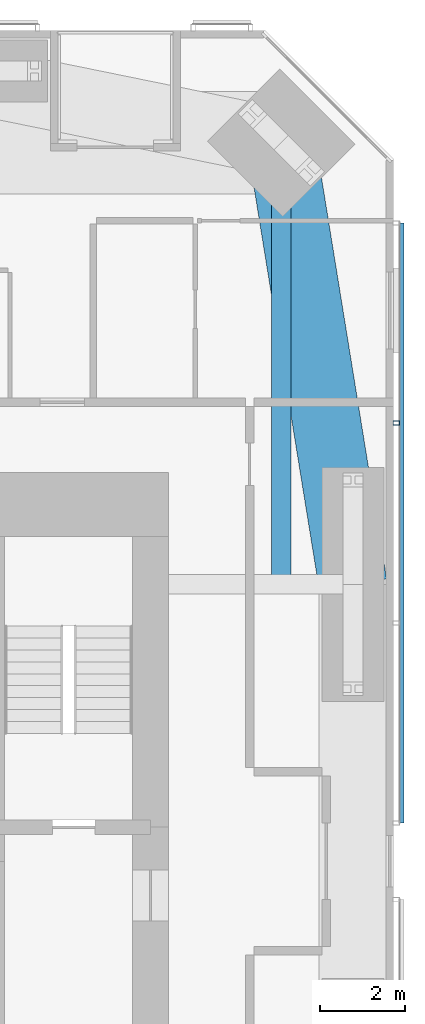
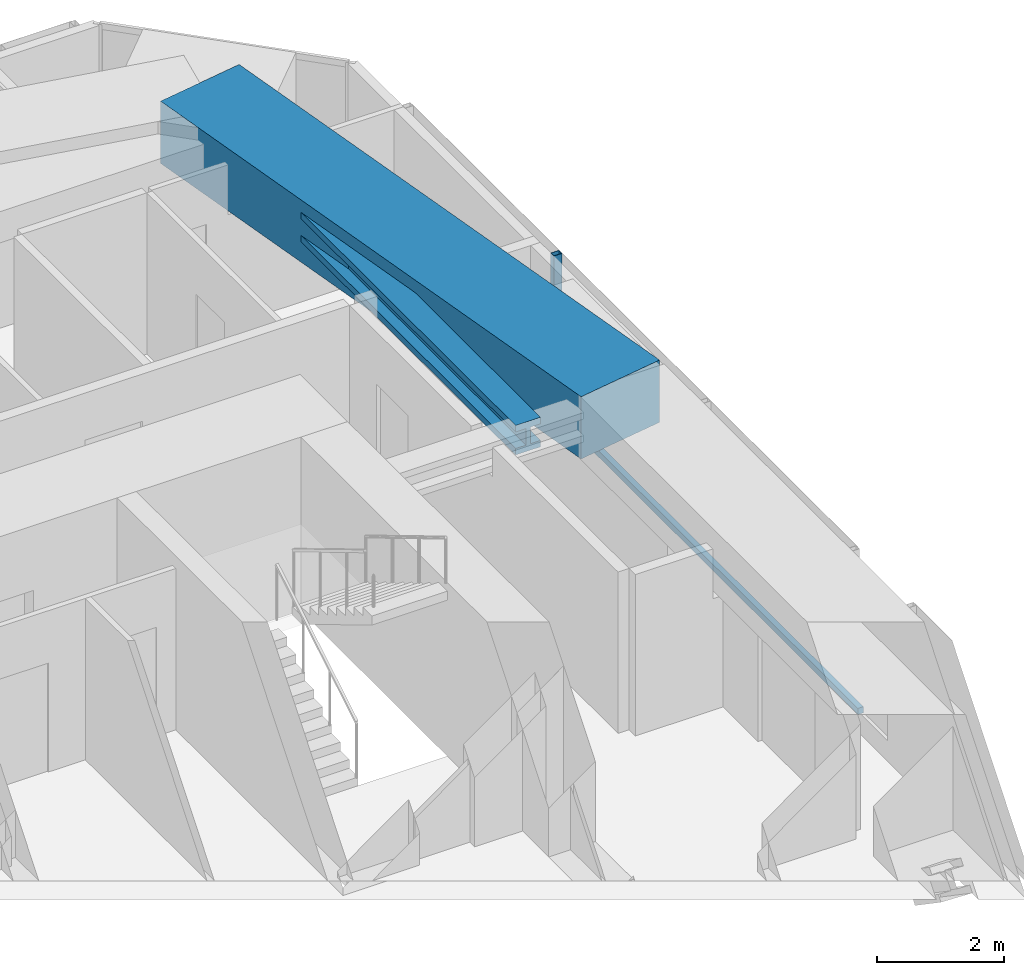
# One storey, part 10 of 23: 2 beams, 2 members, 1 element without a shape of its own.
"""IFC4 building model written with IfcOpenShell, lengths in metres."""

from ifc_helpers import new_model, si_unit, direction, frame, origin, origin_2d, place, context, subcontext, project, spatial, rectangle, hollow_rectangle, i_section, extrude, material, material_profile, profile_set, type_object, element, aggregate, save


model = new_model("IFC4")

# Units and contexts
model_context = context("Model", 3, precision=1e-05, world=origin(), true_north=direction((0.0, 1.0)))
body_context = subcontext(model_context, "Body", "Model", "MODEL_VIEW")
ifc_project = project(units=[si_unit("LENGTHUNIT", "METRE"), si_unit("AREAUNIT", "SQUARE_METRE"), si_unit("VOLUMEUNIT", "CUBIC_METRE"), si_unit("PLANEANGLEUNIT", "RADIAN"), si_unit("MASSUNIT", "GRAM", prefix="KILO")], contexts=[model_context])

# Site, building, storey
site_placement = place(None, origin())
site = spatial("IfcSite", under=ifc_project, at=site_placement, CompositionType="ELEMENT")
building_placement = place(site_placement, origin())
building = spatial("IfcBuilding", under=site, at=building_placement, Name="Jalousie Tower", CompositionType="ELEMENT")
storey_placement = place(building_placement, frame((0.0, 0.0, 121.60009765625)))
storey = spatial("IfcBuildingStorey", under=building, at=storey_placement, Name="L33", CompositionType="ELEMENT", Elevation=121.60009765625)

# Beams
ifc_material_1 = material(Name="Steel ASTM A992 Grade 50", Category="steel")
ifc_material_profile_1 = material_profile(ifc_material_1, i_section(OverallWidth=0.45458984375, OverallDepth=0.569091796875, WebThickness=0.077880859375, FlangeThickness=0.124755859375, at=origin_2d()), Name="W14X730")
ifc_profile_set_1 = profile_set([ifc_material_profile_1], Name="Steel ASTM A992 Grade 50")
beam_type_1 = type_object("IfcBeamType", Name="LEAN COLLECTOR W14X730", PredefinedType="BEAM", material=ifc_profile_set_1)
beam_1_placement = place(storey_placement, frame((46.86865234375, 35.36865234375, 2.825439453125), z_axis=(0.0, -1.0, 0.0), x_axis=(1.0, 0.0, 0.0)))
element("IfcBeam", 1, at=beam_1_placement, inside=storey, type_object=beam_type_1, Name="Lean collector under L34", PredefinedType="BEAM", context=body_context, shape_type="SweptSolid", body=[
    extrude(i_section(OverallWidth=0.45458984375, OverallDepth=0.569091796875, WebThickness=0.077880859375, FlangeThickness=0.124755859375, at=origin_2d()), origin(), (0.0, 0.0, 1.0), 10.36865234375),
])
ifc_material_2 = material(Name="Concrete f'c 40 MPa", Category="concrete")
ifc_material_profile_2 = material_profile(ifc_material_2, rectangle(XDim=1.60009765625, YDim=1.199951171875, at=origin_2d()), Name="RC 1600x1200")
ifc_profile_set_2 = profile_set([ifc_material_profile_2], Name="Concrete f'c 40 MPa")
beam_type_2 = type_object("IfcBeamType", Name="RC BEAM 1600x1200", PredefinedType="BEAM", material=ifc_profile_set_2)
beam_2_placement = place(storey_placement, frame((48.550048828125, 25.0, 2.75), z_axis=(-0.160070546476, 0.987105577003, 0.0), x_axis=(-0.987105577003, -0.160070546476, 0.0)))
element("IfcBeam", 2, at=beam_2_placement, inside=storey, type_object=beam_type_2, Name="Edge band beam 07-08 under L34", PredefinedType="BEAM", context=body_context, shape_type="SweptSolid", body=[
    extrude(rectangle(XDim=1.60009765625, YDim=1.199951171875, at=origin_2d()), origin(), (0.0, 0.0, 1.0), 10.504150390625),
])

# Curtain wall, members
ifc_material_3 = material(Name="Perforated aluminium sheet", Category="aluminium")
curtain_wall_type = type_object("IfcCurtainWallType", Name="SOLAR SCREEN SS-1", PredefinedType="USERDEFINED", material=ifc_material_3)
curtain_wall_placement = place(storey_placement, origin())
curtain_wall = element("IfcCurtainWall", 3, at=curtain_wall_placement, inside=storey, type_object=curtain_wall_type, Name="Solar screen L33", ObjectType="SOLAR SCREEN SS-1", PredefinedType="USERDEFINED")
ifc_material_4 = material(Name="Steel ASTM A500 Grade C", Category="steel")
ifc_material_profile_3 = material_profile(ifc_material_4, hollow_rectangle(XDim=0.1015625, YDim=0.15234375, WallThickness=0.00634765625, at=origin_2d()), Name="HSS6X4X1/4")
ifc_profile_set_3 = profile_set([ifc_material_profile_3], Name="Steel ASTM A500 Grade C")
member_type_1 = type_object("IfcMemberType", Name="SOLAR SCREEN SS-1 MULLION", PredefinedType="MULLION", material=ifc_profile_set_3)
member_1_placement = place(storey_placement, frame((49.5712890625, 28.790771484375, -0.1201171875), z_axis=(0.0, 0.0, 1.0), x_axis=(0.0, 1.0, 0.0)))
member_1 = element("IfcMember", 4, at=member_1_placement, type_object=member_type_1, Name="SS1 post 3", PredefinedType="MULLION", context=body_context, shape_type="SweptSolid", body=[
    extrude(hollow_rectangle(XDim=0.1015625, YDim=0.15234375, WallThickness=0.00634765625, at=origin_2d()), origin(), (0.0, 0.0, 1.0), 3.22998046875),
])
ifc_material_5 = material(Name="Extruded aluminium screen rail", Category="aluminium")
ifc_material_profile_4 = material_profile(ifc_material_5, rectangle(XDim=0.1015625, YDim=0.1201171875, at=origin_2d()), Name="RAIL 102x120")
ifc_profile_set_4 = profile_set([ifc_material_profile_4], Name="Extruded aluminium screen rail")
member_type_2 = type_object("IfcMemberType", Name="SOLAR SCREEN SS-1 TRANSOM", PredefinedType="USERDEFINED", material=ifc_profile_set_4)
member_2_placement = place(storey_placement, frame((49.6982421875, 19.39990234375, -0.06005859375), z_axis=(0.0, 1.0, 0.0), x_axis=(-1.0, 0.0, 0.0)))
member_2 = element("IfcMember", 5, at=member_2_placement, type_object=member_type_2, Name="SS1 rail", ObjectType="TRANSOM", PredefinedType="USERDEFINED", context=body_context, shape_type="SweptSolid", body=[
    extrude(rectangle(XDim=0.1015625, YDim=0.1201171875, at=origin_2d()), origin(), (0.0, 0.0, 1.0), 14.086181640625),
])
aggregate(curtain_wall, [member_1, member_2])

save(model, "model.ifc")
